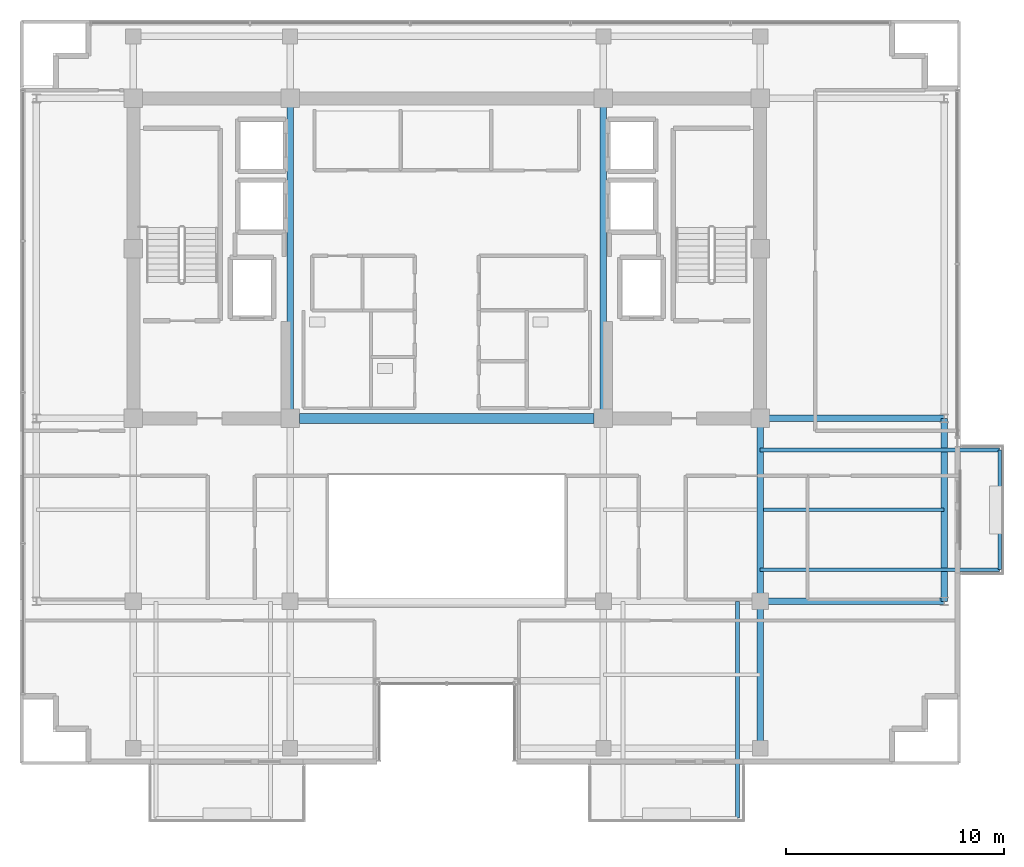
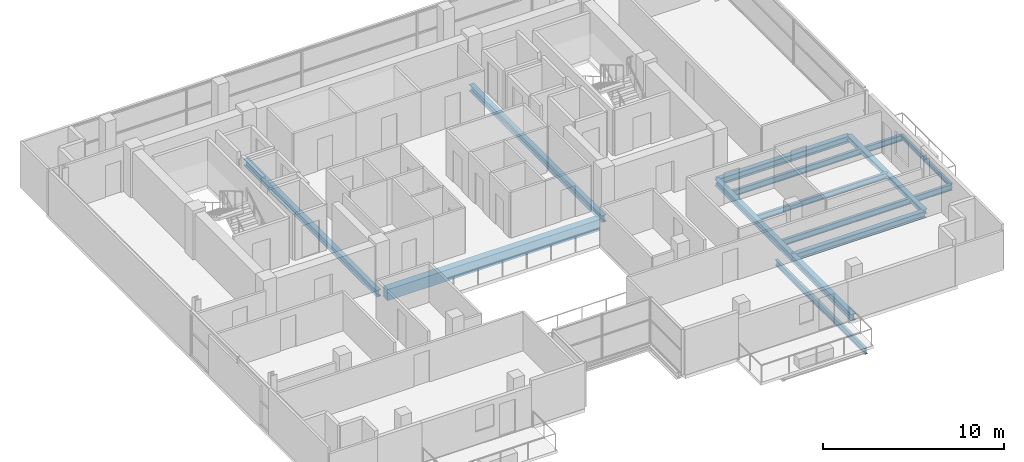
# One storey, part 8 of 22: 13 beams.
"""IFC4 building model written with IfcOpenShell, lengths in metres."""

import ifcopenshell
import ifcopenshell.guid

model = None  # the IFC model being written
_history = None  # IfcOwnerHistory: only IFC2X3 demands one
_inside = {}  # id of a spatial element -> (the spatial element, [elements in it])
_under = {}  # id of a project, library or spatial element -> (it, [spatial elements below it])
_declared = {}  # id of a project -> (the project, [libraries it declares])
_typed = {}  # id of a type object -> (the type object, [elements of that type])
_made_of = {}  # id of a material, layer set ... -> (it, [elements and type objects made of it])


def new_model(schema):
    """Start an empty IFC model of exactly this schema.

    Asked for "IFC4X3", IfcOpenShell would pick the latest addendum, in which some entities
    have other attributes; the version numbers below select the first issue.
    IFC2X3 requires an IfcOwnerHistory on every rooted entity: one is made here for all.
    """
    global model, _history
    if schema == "IFC4X3":
        model = ifcopenshell.file(schema_version=(4, 3, 0, 0))
    else:
        model = ifcopenshell.file(schema=schema)
    _inside.clear()
    _under.clear()
    _declared.clear()
    _typed.clear()
    _made_of.clear()
    _history = None
    if model.schema == "IFC2X3":
        org = make("IfcOrganization", Name="unknown")
        user = make(
            "IfcPersonAndOrganization",
            ThePerson=make("IfcPerson", FamilyName="unknown"),
            TheOrganization=org,
        )
        app = make(
            "IfcApplication",
            ApplicationDeveloper=org,
            Version="unknown",
            ApplicationFullName="unknown",
            ApplicationIdentifier="unknown",
        )
        _history = make(
            "IfcOwnerHistory",
            OwningUser=user,
            OwningApplication=app,
            ChangeAction="ADDED",
            CreationDate=0,
        )
    return model


def make(cls, **values):
    """One entity of the class cls with the attributes given. An attribute that is None is left unset."""
    return model.create_entity(
        cls, **{name: value for name, value in values.items() if value is not None}
    )


def rooted(cls, **values):
    """An entity with a GlobalId (a new one), such as an element, a storey or a relation."""
    return make(cls, GlobalId=ifcopenshell.guid.new(), OwnerHistory=_history, **values)


def si_unit(unit_type, name, prefix=None):
    """IfcSIUnit, for example si_unit("LENGTHUNIT", "METRE", prefix="MILLI")."""
    return make("IfcSIUnit", UnitType=unit_type, Prefix=prefix, Name=name)


def assignment(units):
    """IfcUnitAssignment: the units of a project."""
    return None if units is None else make("IfcUnitAssignment", Units=units)


def point(xyz):
    """IfcCartesianPoint."""
    return None if xyz is None else make("IfcCartesianPoint", Coordinates=xyz)


def direction(xyz):
    """IfcDirection."""
    return None if xyz is None else make("IfcDirection", DirectionRatios=xyz)


def frame(location, z_axis=None, x_axis=None):
    """IfcAxis2Placement3D, a coordinate frame: its origin and axes. An axis left out is left unset."""
    return make(
        "IfcAxis2Placement3D",
        Location=point(location),
        Axis=direction(z_axis),
        RefDirection=direction(x_axis),
    )


def frame_2d(location, x_axis=None):
    """IfcAxis2Placement2D, a coordinate frame in the plane: its origin and x axis."""
    return make(
        "IfcAxis2Placement2D", Location=point(location), RefDirection=direction(x_axis)
    )


def origin():
    """The frame at (0, 0, 0) with its axes left unset."""
    return frame((0.0, 0.0, 0.0))


def origin_2d():
    """The frame at (0, 0) in the plane with its x axis left unset."""
    return frame_2d((0.0, 0.0))


def place(relative_to, where):
    """IfcLocalPlacement: puts the frame where relative to a parent placement (None: the world)."""
    return make(
        "IfcLocalPlacement", PlacementRelTo=relative_to, RelativePlacement=where
    )


def context(
    kind, dimensions, precision=None, world=None, true_north=None, identifier=None
):
    """IfcGeometricRepresentationContext, for example the 3D "Model" context."""
    return make(
        "IfcGeometricRepresentationContext",
        ContextIdentifier=identifier,
        ContextType=kind,
        CoordinateSpaceDimension=dimensions,
        Precision=precision,
        WorldCoordinateSystem=world,
        TrueNorth=true_north,
    )


def subcontext(parent, identifier, kind, view, scale=None):
    """IfcGeometricRepresentationSubContext, for example "Body" below "Model"."""
    return make(
        "IfcGeometricRepresentationSubContext",
        ContextIdentifier=identifier,
        ContextType=kind,
        ParentContext=parent,
        TargetScale=scale,
        TargetView=view,
    )


def project(units=None, contexts=None):
    """IfcProject with its units and contexts."""
    return rooted(
        "IfcProject",
        Name="project",
        RepresentationContexts=contexts,
        UnitsInContext=assignment(units),
    )


def spatial(cls, under=None, at=None, **own):
    """A site, building, storey or space (cls), placed at a placement, below another one or the project."""
    s = rooted(cls, ObjectPlacement=at, **own)
    if under is not None:
        _under.setdefault(under.id(), (under, []))[1].append(s)
    return s


def profile(cls, at=None, kind="AREA", **sizes):
    """A parametric profile (cls). Its sizes go by their IFC names, for example OverallWidth=200.0."""
    return make(cls, ProfileType=kind, Position=at, **sizes)


def rectangle(**sizes):
    """IfcRectangleProfileDef."""
    return profile("IfcRectangleProfileDef", **sizes)


def i_section(**sizes):
    """IfcIShapeProfileDef."""
    return profile("IfcIShapeProfileDef", **sizes)


def extrude(swept, where, along, depth):
    """IfcExtrudedAreaSolid: the profile swept, set in the frame where, extruded along a direction by depth."""
    return make(
        "IfcExtrudedAreaSolid",
        SweptArea=swept,
        Position=where,
        ExtrudedDirection=direction(along),
        Depth=depth,
    )


def shape(context_of_items, identifier, shape_type, items):
    """IfcShapeRepresentation: the items that make up one representation, for example the "Body"."""
    return make(
        "IfcShapeRepresentation",
        ContextOfItems=context_of_items,
        RepresentationIdentifier=identifier,
        RepresentationType=shape_type,
        Items=items,
    )


def material(Name=None, Category=None):
    """IfcMaterial."""
    return make("IfcMaterial", Name=Name, Category=Category)


def material_profile(
    of_material, cross_section, Name=None, Category=None, Priority=None
):
    """IfcMaterialProfile: a cross section and its material."""
    return make(
        "IfcMaterialProfile",
        Name=Name,
        Material=of_material,
        Profile=cross_section,
        Priority=Priority,
        Category=Category,
    )


def profile_set(profiles, Name=None, composite=None):
    """IfcMaterialProfileSet."""
    return make(
        "IfcMaterialProfileSet",
        Name=Name,
        MaterialProfiles=profiles,
        CompositeProfile=composite,
    )


def made_of(thing, what):
    """Note that an element or type object is made of a material, layer set ...; save() writes the relation."""
    if what is not None:
        _made_of.setdefault(what.id(), (what, []))[1].append(thing)
    return thing


def type_object(cls, material=None, **own):
    """A type object (cls), such as IfcWallType, which elements share."""
    return made_of(rooted(cls, **own), material)


def element(
    cls,
    number,
    at=None,
    inside=None,
    cuts=None,
    type_object=None,
    material=None,
    context=None,
    identifier="Body",
    shape_type=None,
    held_by="IfcProductDefinitionShape",
    body=None,
    shapes=None,
    **own,
):
    """One element of the class cls, such as IfcWall. Its Tag is "e" and its number.

    at: its placement. inside: the storey or other place that contains it. cuts: it is an
    opening in that element (IfcRelVoidsElement). A single representation is given by context,
    identifier, shape_type and body (its items); several are given by shapes. held_by: the class
    of the entity that holds the representations. save() writes the other relations.
    """
    e = rooted(cls, Tag="e%d" % number, ObjectPlacement=at, **own)
    if body is not None:
        shapes = [shape(context, identifier, shape_type, body)]
    if shapes is not None:
        e.Representation = make(held_by, Representations=shapes)
    if inside is not None:
        _inside.setdefault(inside.id(), (inside, []))[1].append(e)
    if cuts is not None:
        rooted(
            "IfcRelVoidsElement", RelatingBuildingElement=cuts, RelatedOpeningElement=e
        )
    if type_object is not None:
        _typed.setdefault(type_object.id(), (type_object, []))[1].append(e)
    return made_of(e, material)


def aggregate(whole, parts):
    """IfcRelAggregates: a whole, such as a stair, and the parts it consists of."""
    return rooted("IfcRelAggregates", RelatingObject=whole, RelatedObjects=parts)


def save(model, path):
    """Write the relations noted so far, then the file.

    IfcRelAggregates (storeys below a building ...), IfcRelContainedInSpatialStructure (elements
    in a storey), IfcRelDefinesByType, IfcRelAssociatesMaterial and IfcRelDeclares: one each for
    every whole, place, type object, material and project.
    """
    for whole, parts in _under.values():
        aggregate(whole, parts)
    for where, things in _inside.values():
        rooted(
            "IfcRelContainedInSpatialStructure",
            RelatedElements=things,
            RelatingStructure=where,
        )
    for kind, things in _typed.values():
        rooted("IfcRelDefinesByType", RelatedObjects=things, RelatingType=kind)
    for what, things in _made_of.values():
        rooted("IfcRelAssociatesMaterial", RelatedObjects=things, RelatingMaterial=what)
    for by, libraries in _declared.values():
        rooted("IfcRelDeclares", RelatingContext=by, RelatedDefinitions=libraries)
    model.write(path)


model = new_model("IFC4")

# Units and contexts
model_context = context("Model", 3, precision=1e-05, world=origin(), true_north=direction((0.0, 1.0)))
body_context = subcontext(model_context, "Body", "Model", "MODEL_VIEW")
ifc_project = project(units=[si_unit("LENGTHUNIT", "METRE"), si_unit("AREAUNIT", "SQUARE_METRE"), si_unit("VOLUMEUNIT", "CUBIC_METRE"), si_unit("PLANEANGLEUNIT", "RADIAN"), si_unit("MASSUNIT", "GRAM", prefix="KILO")], contexts=[model_context])

# Site, building, storey
site_placement = place(None, origin())
site = spatial("IfcSite", under=ifc_project, at=site_placement, CompositionType="ELEMENT")
building_placement = place(site_placement, origin())
building = spatial("IfcBuilding", under=site, at=building_placement, Name="Zarnakvel Exchange Tower", CompositionType="ELEMENT")
storey_placement = place(building_placement, frame((0.0, 0.0, 245.199951171875)))
storey = spatial("IfcBuildingStorey", under=building, at=storey_placement, Name="L69", CompositionType="ELEMENT", Elevation=245.199951171875)

# Beams
ifc_material_1 = material(Name="Steel S355", Category="steel")
ifc_material_profile_1 = material_profile(ifc_material_1, i_section(OverallWidth=0.179931640625, OverallDepth=0.39990234375, WebThickness=0.008544921875, FlangeThickness=0.013427734375, FilletRadius=0.02099609375, at=origin_2d()))
ifc_profile_set_1 = profile_set([ifc_material_profile_1], Name="Steel S355")
beam_type_1 = type_object("IfcBeamType", Name="B-06", PredefinedType="JOIST", material=ifc_profile_set_1)
beam_1_placement = place(storey_placement, frame((13.35009765625, -9.60009765625, -0.425048828125), z_axis=(0.0, -1.0, 0.0), x_axis=(1.0, 0.0, 0.0)))
element("IfcBeam", 1, at=beam_1_placement, inside=storey, type_object=beam_type_1, Name="L69 Continuous Back-Spanned Balcony Beam E", PredefinedType="JOIST", context=body_context, shape_type="SweptSolid", body=[
    extrude(i_section(OverallWidth=0.179931640625, OverallDepth=0.39990234375, WebThickness=0.008544921875, FlangeThickness=0.013427734375, FilletRadius=0.02099609375, at=origin_2d()), origin(), (0.0, 0.0, 1.0), 9.949951171875),
])
for number, where, z_axis, x_axis, name in (
    (2, (14.39990234375, -8.14990234375, -0.425048828125), (1.0, 0.0, 0.0), (0.0, 1.0, 0.0), "L69 Continuous East Loggia Beam S"),
    (3, (14.39990234375, -2.64990234375, -0.425048828125), (1.0, 0.0, 0.0), (0.0, 1.0, 0.0), "L69 Continuous East Loggia Beam N"),
):
    element("IfcBeam", number, at=place(storey_placement, frame(where, z_axis=z_axis, x_axis=x_axis)), inside=storey, type_object=beam_type_1, Name=name, PredefinedType="JOIST", context=body_context, shape_type="SweptSolid", body=[
        extrude(i_section(OverallWidth=0.179931640625, OverallDepth=0.39990234375, WebThickness=0.008544921875, FlangeThickness=0.013427734375, FilletRadius=0.02099609375, at=origin_2d()), origin(), (0.0, 0.0, 1.0), 11.0),
    ])
ifc_material_profile_2 = material_profile(ifc_material_1, i_section(OverallWidth=0.169921875, OverallDepth=0.360107421875, WebThickness=0.008056640625, FlangeThickness=0.0126953125, FilletRadius=0.01806640625, at=origin_2d()))
ifc_profile_set_2 = profile_set([ifc_material_profile_2], Name="Steel S355")
beam_type_2 = type_object("IfcBeamType", Name="B-07", PredefinedType="JOIST", material=ifc_profile_set_2)
beam_2_placement = place(storey_placement, frame((14.550048828125, -5.39990234375, -0.405029296875), z_axis=(1.0, 0.0, 0.0), x_axis=(0.0, 1.0, 0.0)))
element("IfcBeam", 4, at=beam_2_placement, inside=storey, type_object=beam_type_2, Name="L69 Composite Floor Secondary Joist", PredefinedType="JOIST", context=body_context, shape_type="SweptSolid", body=[
    extrude(i_section(OverallWidth=0.169921875, OverallDepth=0.360107421875, WebThickness=0.008056640625, FlangeThickness=0.0126953125, FilletRadius=0.01806640625, at=origin_2d()), origin(), (0.0, 0.0, 1.0), 8.300048828125),
])
ifc_material_profile_3 = material_profile(ifc_material_1, i_section(OverallWidth=0.14990234375, OverallDepth=0.300048828125, WebThickness=0.007080078125, FlangeThickness=0.0107421875, FilletRadius=0.014892578125, at=origin_2d()))
ifc_profile_set_3 = profile_set([ifc_material_profile_3], Name="Steel S355")
beam_type_3 = type_object("IfcBeamType", Name="B-08", PredefinedType="JOIST", material=ifc_profile_set_3)
beam_3_placement = place(storey_placement, frame((25.39990234375, -8.14990234375, -0.375), z_axis=(0.0, 1.0, 0.0), x_axis=(-1.0, 0.0, 0.0)))
element("IfcBeam", 5, at=beam_3_placement, inside=storey, type_object=beam_type_3, Name="L69 East Loggia Edge Beam", PredefinedType="JOIST", context=body_context, shape_type="SweptSolid", body=[
    extrude(i_section(OverallWidth=0.14990234375, OverallDepth=0.300048828125, WebThickness=0.007080078125, FlangeThickness=0.0107421875, FilletRadius=0.014892578125, at=origin_2d()), origin(), (0.0, 0.0, 1.0), 5.5),
])
ifc_material_2 = material(Name="Concrete C50/60", Category="concrete")
ifc_material_profile_4 = material_profile(ifc_material_2, rectangle(XDim=0.449951171875, YDim=0.75, at=origin_2d()))
ifc_profile_set_4 = profile_set([ifc_material_profile_4], Name="Concrete C50/60")
beam_type_4 = type_object("IfcBeamType", Name="CB-03", PredefinedType="LINTEL", material=ifc_profile_set_4)
beam_4_placement = place(storey_placement, frame((-6.77490234375, -1.199951171875, -0.599853515625), z_axis=(1.0, 0.0, 0.0), x_axis=(0.0, 1.0, 0.0)))
element("IfcBeam", 6, at=beam_4_placement, inside=storey, type_object=beam_type_4, Name="L69 Rear Core South Coupling Beam (CB-03)", PredefinedType="LINTEL", context=body_context, shape_type="SweptSolid", body=[
    extrude(rectangle(XDim=0.449951171875, YDim=0.75, at=origin_2d()), origin(), (0.0, 0.0, 1.0), 13.5498046875),
])
ifc_material_profile_5 = material_profile(ifc_material_1, i_section(OverallWidth=0.300048828125, OverallDepth=0.449951171875, WebThickness=0.013916015625, FlangeThickness=0.02587890625, FilletRadius=0.027099609375, at=origin_2d()))
ifc_profile_set_5 = profile_set([ifc_material_profile_5], Name="Steel S355")
beam_type_5 = type_object("IfcBeamType", Name="G-07", PredefinedType="BEAM", material=ifc_profile_set_5)
for number, where, z_axis, x_axis, name in (
    (7, (14.39990234375, -9.60009765625, -0.449951171875), (1.0, 0.0, 0.0), (0.0, 1.0, 0.0), "L69 Tower E-W Frame Beam"),
    (8, (14.39990234375, -1.199951171875, -0.449951171875), (1.0, 0.0, 0.0), (0.0, 1.0, 0.0), "L69 Tower E-W Frame Beam"),
):
    element("IfcBeam", number, at=place(storey_placement, frame(where, z_axis=z_axis, x_axis=x_axis)), inside=storey, type_object=beam_type_5, Name=name, PredefinedType="BEAM", context=body_context, shape_type="SweptSolid", body=[
        extrude(i_section(OverallWidth=0.300048828125, OverallDepth=0.449951171875, WebThickness=0.013916015625, FlangeThickness=0.02587890625, FilletRadius=0.027099609375, at=origin_2d()), origin(), (0.0, 0.0, 1.0), 8.4501953125),
    ])
for number, where, z_axis, x_axis, name in (
    (9, (-7.199951171875, -1.199951171875, -0.449951171875), (0.0, 1.0, 0.0), (-1.0, 0.0, 0.0), "L69 Tower N-S Frame Beam"),
    (10, (7.199951171875, -1.199951171875, -0.449951171875), (0.0, 1.0, 0.0), (-1.0, 0.0, 0.0), "L69 Tower N-S Frame Beam"),
):
    element("IfcBeam", number, at=place(storey_placement, frame(where, z_axis=z_axis, x_axis=x_axis)), inside=storey, type_object=beam_type_5, Name=name, PredefinedType="BEAM", context=body_context, shape_type="SweptSolid", body=[
        extrude(i_section(OverallWidth=0.300048828125, OverallDepth=0.449951171875, WebThickness=0.013916015625, FlangeThickness=0.02587890625, FilletRadius=0.027099609375, at=origin_2d()), origin(), (0.0, 0.0, 1.0), 14.699951171875),
    ])
beam_5_placement = place(storey_placement, frame((14.39990234375, -16.35009765625, -0.449951171875), z_axis=(0.0, 1.0, 0.0), x_axis=(-1.0, 0.0, 0.0)))
element("IfcBeam", 11, at=beam_5_placement, inside=storey, type_object=beam_type_5, Name="L69 Tower N-S Frame Beam", PredefinedType="BEAM", context=body_context, shape_type="SweptSolid", body=[
    extrude(i_section(OverallWidth=0.300048828125, OverallDepth=0.449951171875, WebThickness=0.013916015625, FlangeThickness=0.02587890625, FilletRadius=0.027099609375, at=origin_2d()), origin(), (0.0, 0.0, 1.0), 6.75),
])
beam_6_placement = place(storey_placement, frame((14.39990234375, -9.60009765625, -0.449951171875), z_axis=(0.0, 1.0, 0.0), x_axis=(-1.0, 0.0, 0.0)))
element("IfcBeam", 12, at=beam_6_placement, inside=storey, type_object=beam_type_5, Name="L69 Tower N-S Frame Beam", PredefinedType="BEAM", context=body_context, shape_type="SweptSolid", body=[
    extrude(i_section(OverallWidth=0.300048828125, OverallDepth=0.449951171875, WebThickness=0.013916015625, FlangeThickness=0.02587890625, FilletRadius=0.027099609375, at=origin_2d()), origin(), (0.0, 0.0, 1.0), 8.400146484375),
])
ifc_material_profile_6 = material_profile(ifc_material_1, i_section(OverallWidth=0.300048828125, OverallDepth=0.300048828125, WebThickness=0.010986328125, FlangeThickness=0.01904296875, FilletRadius=0.027099609375, at=origin_2d()))
ifc_profile_set_6 = profile_set([ifc_material_profile_6], Name="Steel S355")
beam_type_6 = type_object("IfcBeamType", Name="SP-03", PredefinedType="SPANDREL", material=ifc_profile_set_6)
beam_7_placement = place(storey_placement, frame((22.85009765625, -9.60009765625, -0.375), z_axis=(0.0, 1.0, 0.0), x_axis=(-1.0, 0.0, 0.0)))
element("IfcBeam", 13, at=beam_7_placement, inside=storey, type_object=beam_type_6, Name="L69 Tower N-S Frame Beam", PredefinedType="SPANDREL", context=body_context, shape_type="SweptSolid", body=[
    extrude(i_section(OverallWidth=0.300048828125, OverallDepth=0.300048828125, WebThickness=0.010986328125, FlangeThickness=0.01904296875, FilletRadius=0.027099609375, at=origin_2d()), origin(), (0.0, 0.0, 1.0), 8.400146484375),
])

save(model, "model.ifc")
